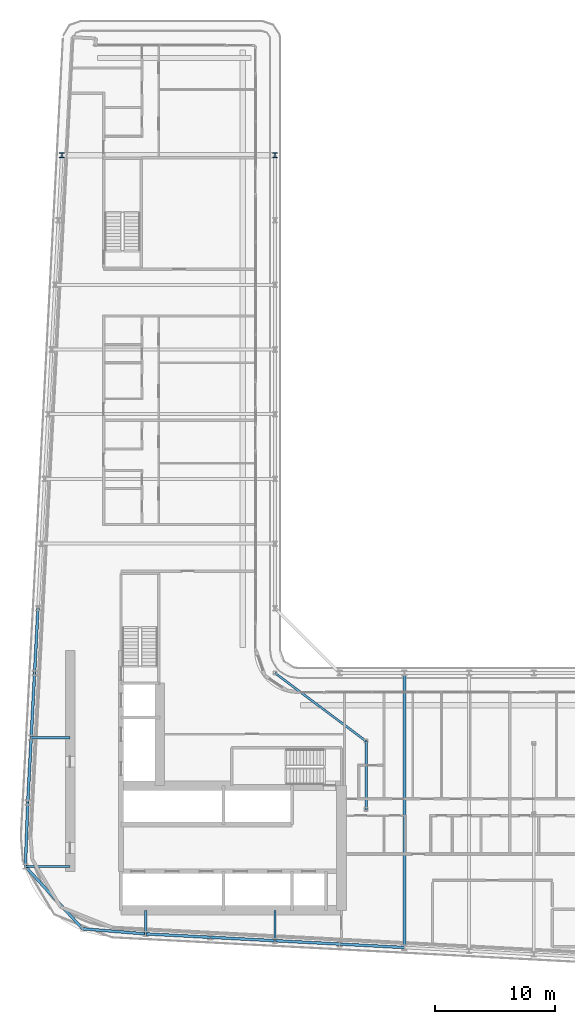
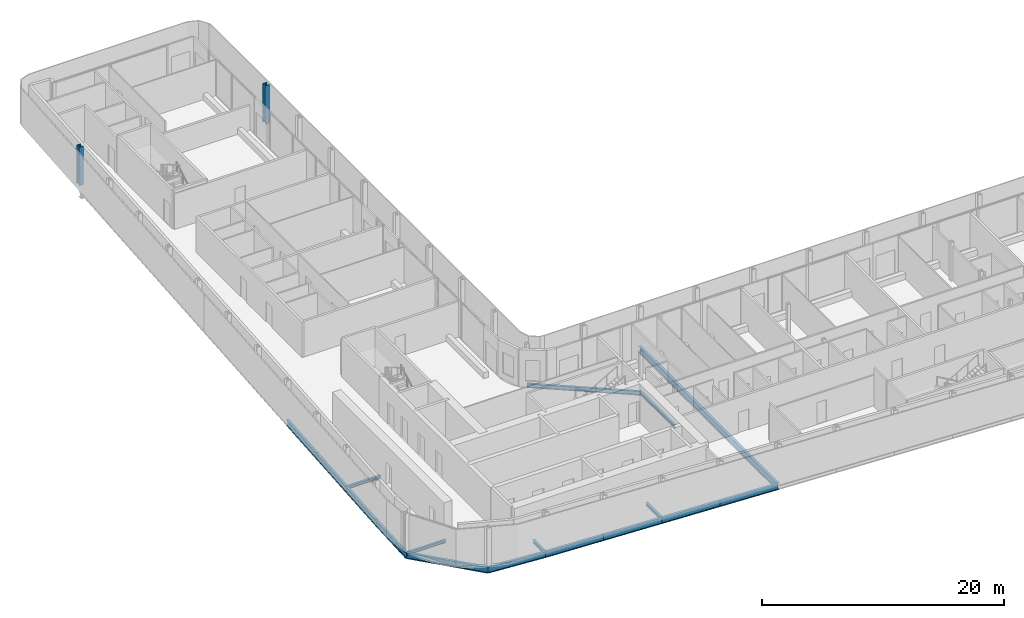
# One storey, part 5 of 30: 17 beams, 2 columns.
"""IFC4 building model written with IfcOpenShell, lengths in metres."""

import ifcopenshell
import ifcopenshell.guid

model = None  # the IFC model being written
_history = None  # IfcOwnerHistory: only IFC2X3 demands one
_inside = {}  # id of a spatial element -> (the spatial element, [elements in it])
_under = {}  # id of a project, library or spatial element -> (it, [spatial elements below it])
_declared = {}  # id of a project -> (the project, [libraries it declares])
_typed = {}  # id of a type object -> (the type object, [elements of that type])
_made_of = {}  # id of a material, layer set ... -> (it, [elements and type objects made of it])


def new_model(schema):
    """Start an empty IFC model of exactly this schema.

    Asked for "IFC4X3", IfcOpenShell would pick the latest addendum, in which some entities
    have other attributes; the version numbers below select the first issue.
    IFC2X3 requires an IfcOwnerHistory on every rooted entity: one is made here for all.
    """
    global model, _history
    if schema == "IFC4X3":
        model = ifcopenshell.file(schema_version=(4, 3, 0, 0))
    else:
        model = ifcopenshell.file(schema=schema)
    _inside.clear()
    _under.clear()
    _declared.clear()
    _typed.clear()
    _made_of.clear()
    _history = None
    if model.schema == "IFC2X3":
        org = make("IfcOrganization", Name="unknown")
        user = make(
            "IfcPersonAndOrganization",
            ThePerson=make("IfcPerson", FamilyName="unknown"),
            TheOrganization=org,
        )
        app = make(
            "IfcApplication",
            ApplicationDeveloper=org,
            Version="unknown",
            ApplicationFullName="unknown",
            ApplicationIdentifier="unknown",
        )
        _history = make(
            "IfcOwnerHistory",
            OwningUser=user,
            OwningApplication=app,
            ChangeAction="ADDED",
            CreationDate=0,
        )
    return model


def make(cls, **values):
    """One entity of the class cls with the attributes given. An attribute that is None is left unset."""
    return model.create_entity(
        cls, **{name: value for name, value in values.items() if value is not None}
    )


def rooted(cls, **values):
    """An entity with a GlobalId (a new one), such as an element, a storey or a relation."""
    return make(cls, GlobalId=ifcopenshell.guid.new(), OwnerHistory=_history, **values)


def si_unit(unit_type, name, prefix=None):
    """IfcSIUnit, for example si_unit("LENGTHUNIT", "METRE", prefix="MILLI")."""
    return make("IfcSIUnit", UnitType=unit_type, Prefix=prefix, Name=name)


def assignment(units):
    """IfcUnitAssignment: the units of a project."""
    return None if units is None else make("IfcUnitAssignment", Units=units)


def point(xyz):
    """IfcCartesianPoint."""
    return None if xyz is None else make("IfcCartesianPoint", Coordinates=xyz)


def direction(xyz):
    """IfcDirection."""
    return None if xyz is None else make("IfcDirection", DirectionRatios=xyz)


def frame(location, z_axis=None, x_axis=None):
    """IfcAxis2Placement3D, a coordinate frame: its origin and axes. An axis left out is left unset."""
    return make(
        "IfcAxis2Placement3D",
        Location=point(location),
        Axis=direction(z_axis),
        RefDirection=direction(x_axis),
    )


def frame_2d(location, x_axis=None):
    """IfcAxis2Placement2D, a coordinate frame in the plane: its origin and x axis."""
    return make(
        "IfcAxis2Placement2D", Location=point(location), RefDirection=direction(x_axis)
    )


def origin():
    """The frame at (0, 0, 0) with its axes left unset."""
    return frame((0.0, 0.0, 0.0))


def origin_2d():
    """The frame at (0, 0) in the plane with its x axis left unset."""
    return frame_2d((0.0, 0.0))


def place(relative_to, where):
    """IfcLocalPlacement: puts the frame where relative to a parent placement (None: the world)."""
    return make(
        "IfcLocalPlacement", PlacementRelTo=relative_to, RelativePlacement=where
    )


def context(
    kind, dimensions, precision=None, world=None, true_north=None, identifier=None
):
    """IfcGeometricRepresentationContext, for example the 3D "Model" context."""
    return make(
        "IfcGeometricRepresentationContext",
        ContextIdentifier=identifier,
        ContextType=kind,
        CoordinateSpaceDimension=dimensions,
        Precision=precision,
        WorldCoordinateSystem=world,
        TrueNorth=true_north,
    )


def subcontext(parent, identifier, kind, view, scale=None):
    """IfcGeometricRepresentationSubContext, for example "Body" below "Model"."""
    return make(
        "IfcGeometricRepresentationSubContext",
        ContextIdentifier=identifier,
        ContextType=kind,
        ParentContext=parent,
        TargetScale=scale,
        TargetView=view,
    )


def project(units=None, contexts=None):
    """IfcProject with its units and contexts."""
    return rooted(
        "IfcProject",
        Name="project",
        RepresentationContexts=contexts,
        UnitsInContext=assignment(units),
    )


def spatial(cls, under=None, at=None, **own):
    """A site, building, storey or space (cls), placed at a placement, below another one or the project."""
    s = rooted(cls, ObjectPlacement=at, **own)
    if under is not None:
        _under.setdefault(under.id(), (under, []))[1].append(s)
    return s


def profile(cls, at=None, kind="AREA", **sizes):
    """A parametric profile (cls). Its sizes go by their IFC names, for example OverallWidth=200.0."""
    return make(cls, ProfileType=kind, Position=at, **sizes)


def i_section(**sizes):
    """IfcIShapeProfileDef."""
    return profile("IfcIShapeProfileDef", **sizes)


def extrude(swept, where, along, depth):
    """IfcExtrudedAreaSolid: the profile swept, set in the frame where, extruded along a direction by depth."""
    return make(
        "IfcExtrudedAreaSolid",
        SweptArea=swept,
        Position=where,
        ExtrudedDirection=direction(along),
        Depth=depth,
    )


def shape(context_of_items, identifier, shape_type, items):
    """IfcShapeRepresentation: the items that make up one representation, for example the "Body"."""
    return make(
        "IfcShapeRepresentation",
        ContextOfItems=context_of_items,
        RepresentationIdentifier=identifier,
        RepresentationType=shape_type,
        Items=items,
    )


def material(Name=None, Category=None):
    """IfcMaterial."""
    return make("IfcMaterial", Name=Name, Category=Category)


def material_profile(
    of_material, cross_section, Name=None, Category=None, Priority=None
):
    """IfcMaterialProfile: a cross section and its material."""
    return make(
        "IfcMaterialProfile",
        Name=Name,
        Material=of_material,
        Profile=cross_section,
        Priority=Priority,
        Category=Category,
    )


def profile_set(profiles, Name=None, composite=None):
    """IfcMaterialProfileSet."""
    return make(
        "IfcMaterialProfileSet",
        Name=Name,
        MaterialProfiles=profiles,
        CompositeProfile=composite,
    )


def made_of(thing, what):
    """Note that an element or type object is made of a material, layer set ...; save() writes the relation."""
    if what is not None:
        _made_of.setdefault(what.id(), (what, []))[1].append(thing)
    return thing


def type_object(cls, material=None, **own):
    """A type object (cls), such as IfcWallType, which elements share."""
    return made_of(rooted(cls, **own), material)


def element(
    cls,
    number,
    at=None,
    inside=None,
    cuts=None,
    type_object=None,
    material=None,
    context=None,
    identifier="Body",
    shape_type=None,
    held_by="IfcProductDefinitionShape",
    body=None,
    shapes=None,
    **own,
):
    """One element of the class cls, such as IfcWall. Its Tag is "e" and its number.

    at: its placement. inside: the storey or other place that contains it. cuts: it is an
    opening in that element (IfcRelVoidsElement). A single representation is given by context,
    identifier, shape_type and body (its items); several are given by shapes. held_by: the class
    of the entity that holds the representations. save() writes the other relations.
    """
    e = rooted(cls, Tag="e%d" % number, ObjectPlacement=at, **own)
    if body is not None:
        shapes = [shape(context, identifier, shape_type, body)]
    if shapes is not None:
        e.Representation = make(held_by, Representations=shapes)
    if inside is not None:
        _inside.setdefault(inside.id(), (inside, []))[1].append(e)
    if cuts is not None:
        rooted(
            "IfcRelVoidsElement", RelatingBuildingElement=cuts, RelatedOpeningElement=e
        )
    if type_object is not None:
        _typed.setdefault(type_object.id(), (type_object, []))[1].append(e)
    return made_of(e, material)


def aggregate(whole, parts):
    """IfcRelAggregates: a whole, such as a stair, and the parts it consists of."""
    return rooted("IfcRelAggregates", RelatingObject=whole, RelatedObjects=parts)


def save(model, path):
    """Write the relations noted so far, then the file.

    IfcRelAggregates (storeys below a building ...), IfcRelContainedInSpatialStructure (elements
    in a storey), IfcRelDefinesByType, IfcRelAssociatesMaterial and IfcRelDeclares: one each for
    every whole, place, type object, material and project.
    """
    for whole, parts in _under.values():
        aggregate(whole, parts)
    for where, things in _inside.values():
        rooted(
            "IfcRelContainedInSpatialStructure",
            RelatedElements=things,
            RelatingStructure=where,
        )
    for kind, things in _typed.values():
        rooted("IfcRelDefinesByType", RelatedObjects=things, RelatingType=kind)
    for what, things in _made_of.values():
        rooted("IfcRelAssociatesMaterial", RelatedObjects=things, RelatingMaterial=what)
    for by, libraries in _declared.values():
        rooted("IfcRelDeclares", RelatingContext=by, RelatedDefinitions=libraries)
    model.write(path)


model = new_model("IFC4")

# Units and contexts
model_context = context("Model", 3, precision=1e-05, world=origin(), true_north=direction((0.0, 1.0)))
body_context = subcontext(model_context, "Body", "Model", "MODEL_VIEW")
ifc_project = project(units=[si_unit("LENGTHUNIT", "METRE"), si_unit("AREAUNIT", "SQUARE_METRE"), si_unit("VOLUMEUNIT", "CUBIC_METRE"), si_unit("PLANEANGLEUNIT", "RADIAN"), si_unit("MASSUNIT", "GRAM", prefix="KILO")], contexts=[model_context])

# Site, building, storey
site_placement = place(None, origin())
site = spatial("IfcSite", under=ifc_project, at=site_placement, CompositionType="ELEMENT")
building_placement = place(site_placement, origin())
building = spatial("IfcBuilding", under=site, at=building_placement, Name="Kheshtan School and Residences Tower", CompositionType="ELEMENT")
storey_placement = place(building_placement, frame((0.0, 0.0, 195.5)))
storey = spatial("IfcBuildingStorey", under=building, at=storey_placement, Name="L46", CompositionType="ELEMENT", Elevation=195.5)

# Columns
ifc_material = material(Name="Steel ASTM A992 Grade 50", Category="steel")
ifc_material_profile_1 = material_profile(ifc_material, i_section(OverallWidth=0.408935546875, OverallDepth=0.425048828125, WebThickness=0.03271484375, FlangeThickness=0.052490234375, FilletRadius=0.0126953125, at=origin_2d()), Name="W360x421")
ifc_profile_set_1 = profile_set([ifc_material_profile_1], Name="Steel ASTM A992 Grade 50")
column_type = type_object("IfcColumnType", Name="Column C3 W360x421 ASTM A992 Grade 50", PredefinedType="COLUMN", material=ifc_profile_set_1)
for number, where, z_axis, x_axis, name in (
    (1, (29.81103515625, 88.800048828125, 0.0), (0.0, 0.0, 1.0), (1.0, 0.0, 0.0), "Column C098"),
    (2, (47.60009765625, 88.800048828125, 0.0), (0.0, 0.0, 1.0), (1.0, 0.0, 0.0), "Column C099"),
):
    element("IfcColumn", number, at=place(storey_placement, frame(where, z_axis=z_axis, x_axis=x_axis)), inside=storey, type_object=column_type, Name=name, PredefinedType="COLUMN", context=body_context, shape_type="SweptSolid", body=[
        extrude(i_section(OverallWidth=0.408935546875, OverallDepth=0.425048828125, WebThickness=0.03271484375, FlangeThickness=0.052490234375, FilletRadius=0.0126953125, at=origin_2d()), origin(), (0.0, 0.0, 1.0), 3.89990234375),
    ])

# Beams
ifc_material_profile_2 = material_profile(ifc_material, i_section(OverallWidth=0.202880859375, OverallDepth=0.302978515625, WebThickness=0.007568359375, FlangeThickness=0.01318359375, FilletRadius=0.009033203125, at=origin_2d()), Name="W310x60")
ifc_profile_set_2 = profile_set([ifc_material_profile_2], Name="Steel ASTM A992 Grade 50")
beam_type_1 = type_object("IfcBeamType", Name="Beam FB1 W310x60 ASTM A992 Grade 50", PredefinedType="BEAM", material=ifc_profile_set_2)
beam_1_placement = place(storey_placement, frame((47.60009765625, 23.263916015625, -0.301513671875), z_axis=(0.0, 1.0, 0.0), x_axis=(-1.0, 0.0, 0.0)))
element("IfcBeam", 3, at=beam_1_placement, inside=storey, type_object=beam_type_1, Name="Floor beam C020", PredefinedType="BEAM", context=body_context, shape_type="SweptSolid", body=[
    extrude(i_section(OverallWidth=0.202880859375, OverallDepth=0.302978515625, WebThickness=0.007568359375, FlangeThickness=0.01318359375, FilletRadius=0.009033203125, at=origin_2d()), origin(), (0.0, 0.0, 1.0), 2.5361328125),
])
beam_2_placement = place(storey_placement, frame((36.800048828125, 23.83203125, -0.301513671875), z_axis=(0.0, 1.0, 0.0), x_axis=(-1.0, 0.0, 0.0)))
element("IfcBeam", 4, at=beam_2_placement, inside=storey, type_object=beam_type_1, Name="Floor beam C022", PredefinedType="BEAM", context=body_context, shape_type="SweptSolid", body=[
    extrude(i_section(OverallWidth=0.202880859375, OverallDepth=0.302978515625, WebThickness=0.007568359375, FlangeThickness=0.01318359375, FilletRadius=0.009033203125, at=origin_2d()), origin(), (0.0, 0.0, 1.0), 1.968017578125),
])
beam_3_placement = place(storey_placement, frame((26.76904296875, 29.4541015625, -0.301513671875), z_axis=(1.0, 0.0, 0.0), x_axis=(0.0, 1.0, 0.0)))
element("IfcBeam", 5, at=beam_3_placement, inside=storey, type_object=beam_type_1, Name="Floor beam C038", PredefinedType="BEAM", context=body_context, shape_type="SweptSolid", body=[
    extrude(i_section(OverallWidth=0.202880859375, OverallDepth=0.302978515625, WebThickness=0.007568359375, FlangeThickness=0.01318359375, FilletRadius=0.009033203125, at=origin_2d()), origin(), (0.0, 0.0, 1.0), 3.73095703125),
])
beam_4_placement = place(storey_placement, frame((27.2529296875, 40.199951171875, -0.301513671875), z_axis=(1.0, 0.0, 0.0), x_axis=(0.0, 1.0, 0.0)))
element("IfcBeam", 6, at=beam_4_placement, inside=storey, type_object=beam_type_1, Name="Floor beam C056", PredefinedType="BEAM", context=body_context, shape_type="SweptSolid", body=[
    extrude(i_section(OverallWidth=0.202880859375, OverallDepth=0.302978515625, WebThickness=0.007568359375, FlangeThickness=0.01318359375, FilletRadius=0.009033203125, at=origin_2d()), origin(), (0.0, 0.0, 1.0), 3.2470703125),
])
beam_5_placement = place(storey_placement, frame((55.199951171875, 34.23193359375, -0.301513671875), z_axis=(0.0, 1.0, 0.0), x_axis=(-1.0, 0.0, 0.0)))
element("IfcBeam", 7, at=beam_5_placement, inside=storey, type_object=beam_type_1, Name="Floor beam IC", PredefinedType="BEAM", context=body_context, shape_type="SweptSolid", body=[
    extrude(i_section(OverallWidth=0.202880859375, OverallDepth=0.302978515625, WebThickness=0.007568359375, FlangeThickness=0.01318359375, FilletRadius=0.009033203125, at=origin_2d()), origin(), (0.0, 0.0, 1.0), 5.68408203125),
])
ifc_material_profile_3 = material_profile(ifc_material, i_section(OverallWidth=0.180908203125, OverallDepth=0.4169921875, WebThickness=0.010986328125, FlangeThickness=0.018310546875, FilletRadius=0.012451171875, at=origin_2d()), Name="W410x85")
ifc_profile_set_3 = profile_set([ifc_material_profile_3], Name="Steel ASTM A992 Grade 50")
beam_type_2 = type_object("IfcBeamType", Name="Beam FB3 W410x85 ASTM A992 Grade 50", PredefinedType="BEAM", material=ifc_profile_set_3)
beam_6_placement = place(storey_placement, frame((47.60009765625, 45.60009765625, -0.3583984375), z_axis=(0.800798828004, -0.598933416222, 0.0), x_axis=(0.598933416222, 0.800798828004, 0.0)))
element("IfcBeam", 8, at=beam_6_placement, inside=storey, type_object=beam_type_2, Name="Floor beam IC", PredefinedType="BEAM", context=body_context, shape_type="SweptSolid", body=[
    extrude(i_section(OverallWidth=0.180908203125, OverallDepth=0.4169921875, WebThickness=0.010986328125, FlangeThickness=0.018310546875, FilletRadius=0.012451171875, at=origin_2d()), origin(), (0.0, 0.0, 1.0), 9.490234375),
])
ifc_material_profile_4 = material_profile(ifc_material, i_section(OverallWidth=0.2529296875, OverallDepth=0.677978515625, WebThickness=0.01171875, FlangeThickness=0.016357421875, FilletRadius=0.0146484375, at=origin_2d()), Name="W690x125")
ifc_profile_set_4 = profile_set([ifc_material_profile_4], Name="Steel ASTM A992 Grade 50")
beam_type_3 = type_object("IfcBeamType", Name="Beam FB6 W690x125 ASTM A992 Grade 50", PredefinedType="BEAM", material=ifc_profile_set_4)
beam_7_placement = place(storey_placement, frame((58.39990234375, 22.695068359375, -0.489013671875), z_axis=(0.0, 1.0, 0.0), x_axis=(-1.0, 0.0, 0.0)))
element("IfcBeam", 9, at=beam_7_placement, inside=storey, type_object=beam_type_3, Name="Floor beam C018", PredefinedType="BEAM", context=body_context, shape_type="SweptSolid", body=[
    extrude(i_section(OverallWidth=0.2529296875, OverallDepth=0.677978515625, WebThickness=0.01171875, FlangeThickness=0.016357421875, FilletRadius=0.0146484375, at=origin_2d()), origin(), (0.0, 0.0, 1.0), 22.905029296875),
])
ifc_material_profile_5 = material_profile(ifc_material, i_section(OverallWidth=0.22802734375, OverallDepth=0.60302734375, WebThickness=0.010498046875, FlangeThickness=0.014892578125, FilletRadius=0.013427734375, at=origin_2d()), Name="W610x101")
ifc_profile_set_5 = profile_set([ifc_material_profile_5], Name="Steel ASTM A992 Grade 50")
beam_type_4 = type_object("IfcBeamType", Name="Beam SP2 W610x101 ASTM A992 Grade 50", PredefinedType="BEAM", material=ifc_profile_set_5)
for number, where, z_axis, x_axis, name in (
    (10, (58.39990234375, 22.695068359375, -0.451416015625), (-0.998610961136, 0.052689166816, 0.0), (-0.052689166816, -0.998610961136, 0.0), "Spandrel beam C018-C019"),
    (11, (53.0, 22.97998046875, -0.451416015625), (-0.998620447272, 0.05250906864, 0.0), (-0.05250906864, -0.998620447272, 0.0), "Spandrel beam C019-C020"),
):
    element("IfcBeam", number, at=place(storey_placement, frame(where, z_axis=z_axis, x_axis=x_axis)), inside=storey, type_object=beam_type_4, Name=name, PredefinedType="BEAM", context=body_context, shape_type="SweptSolid", body=[
        extrude(i_section(OverallWidth=0.22802734375, OverallDepth=0.60302734375, WebThickness=0.010498046875, FlangeThickness=0.014892578125, FilletRadius=0.013427734375, at=origin_2d()), origin(), (0.0, 0.0, 1.0), 5.407470703125),
    ])
beam_8_placement = place(storey_placement, frame((47.60009765625, 23.263916015625, -0.451416015625), z_axis=(-0.998618203458, 0.052551724256, 0.0), x_axis=(-0.052551724256, -0.998618203458, 0.0)))
element("IfcBeam", 12, at=beam_8_placement, inside=storey, type_object=beam_type_4, Name="Spandrel beam C020-C021", PredefinedType="BEAM", context=body_context, shape_type="SweptSolid", body=[
    extrude(i_section(OverallWidth=0.22802734375, OverallDepth=0.60302734375, WebThickness=0.010498046875, FlangeThickness=0.014892578125, FilletRadius=0.013427734375, at=origin_2d()), origin(), (0.0, 0.0, 1.0), 5.40771484375),
])
beam_9_placement = place(storey_placement, frame((42.199951171875, 23.548095703125, -0.451416015625), z_axis=(-0.998620447272, 0.05250906864, 0.0), x_axis=(-0.05250906864, -0.998620447272, 0.0)))
element("IfcBeam", 13, at=beam_9_placement, inside=storey, type_object=beam_type_4, Name="Spandrel beam C021-C022", PredefinedType="BEAM", context=body_context, shape_type="SweptSolid", body=[
    extrude(i_section(OverallWidth=0.22802734375, OverallDepth=0.60302734375, WebThickness=0.010498046875, FlangeThickness=0.014892578125, FilletRadius=0.013427734375, at=origin_2d()), origin(), (0.0, 0.0, 1.0), 5.407470703125),
])
beam_10_placement = place(storey_placement, frame((36.800048828125, 23.83203125, -0.451416015625), z_axis=(-0.996748565693, 0.08057479003, 0.0), x_axis=(-0.08057479003, -0.996748565693, 0.0)))
element("IfcBeam", 14, at=beam_10_placement, inside=storey, type_object=beam_type_4, Name="Spandrel beam C022-C025", PredefinedType="BEAM", context=body_context, shape_type="SweptSolid", body=[
    extrude(i_section(OverallWidth=0.22802734375, OverallDepth=0.60302734375, WebThickness=0.010498046875, FlangeThickness=0.014892578125, FilletRadius=0.013427734375, at=origin_2d()), origin(), (0.0, 0.0, 1.0), 5.275146484375),
])
beam_11_placement = place(storey_placement, frame((31.5419921875, 24.257080078125, -0.451416015625), z_axis=(-0.676418406149, 0.736517576045, 0.0), x_axis=(-0.736517576045, -0.676418406149, 0.0)))
element("IfcBeam", 15, at=beam_11_placement, inside=storey, type_object=beam_type_4, Name="Spandrel beam C025-C038", PredefinedType="BEAM", context=body_context, shape_type="SweptSolid", body=[
    extrude(i_section(OverallWidth=0.22802734375, OverallDepth=0.60302734375, WebThickness=0.010498046875, FlangeThickness=0.014892578125, FilletRadius=0.013427734375, at=origin_2d()), origin(), (0.0, 0.0, 1.0), 7.05615234375),
])
beam_12_placement = place(storey_placement, frame((26.76904296875, 29.4541015625, -0.451416015625), z_axis=(0.037376249491, 0.999301263871, 0.0), x_axis=(-0.999301263871, 0.037376249491, 0.0)))
element("IfcBeam", 16, at=beam_12_placement, inside=storey, type_object=beam_type_4, Name="Spandrel beam C038-C052", PredefinedType="BEAM", context=body_context, shape_type="SweptSolid", body=[
    extrude(i_section(OverallWidth=0.22802734375, OverallDepth=0.60302734375, WebThickness=0.010498046875, FlangeThickness=0.014892578125, FilletRadius=0.013427734375, at=origin_2d()), origin(), (0.0, 0.0, 1.0), 5.349609375),
])
beam_13_placement = place(storey_placement, frame((26.968994140625, 34.800048828125, -0.451416015625), z_axis=(0.05250906864, 0.998620447272, 0.0), x_axis=(-0.998620447272, 0.05250906864, 0.0)))
element("IfcBeam", 17, at=beam_13_placement, inside=storey, type_object=beam_type_4, Name="Spandrel beam C052-C056", PredefinedType="BEAM", context=body_context, shape_type="SweptSolid", body=[
    extrude(i_section(OverallWidth=0.22802734375, OverallDepth=0.60302734375, WebThickness=0.010498046875, FlangeThickness=0.014892578125, FilletRadius=0.013427734375, at=origin_2d()), origin(), (0.0, 0.0, 1.0), 5.407470703125),
])
beam_14_placement = place(storey_placement, frame((27.2529296875, 40.199951171875, -0.451416015625), z_axis=(0.052551724256, 0.998618203458, 0.0), x_axis=(-0.998618203458, 0.052551724256, 0.0)))
element("IfcBeam", 18, at=beam_14_placement, inside=storey, type_object=beam_type_4, Name="Spandrel beam C056-C059", PredefinedType="BEAM", context=body_context, shape_type="SweptSolid", body=[
    extrude(i_section(OverallWidth=0.22802734375, OverallDepth=0.60302734375, WebThickness=0.010498046875, FlangeThickness=0.014892578125, FilletRadius=0.013427734375, at=origin_2d()), origin(), (0.0, 0.0, 1.0), 5.40771484375),
])
beam_15_placement = place(storey_placement, frame((27.537109375, 45.60009765625, -0.451416015625), z_axis=(0.052689166816, 0.998610961136, 0.0), x_axis=(-0.998610961136, 0.052689166816, 0.0)))
element("IfcBeam", 19, at=beam_15_placement, inside=storey, type_object=beam_type_4, Name="Spandrel beam C059-C078", PredefinedType="BEAM", context=body_context, shape_type="SweptSolid", body=[
    extrude(i_section(OverallWidth=0.22802734375, OverallDepth=0.60302734375, WebThickness=0.010498046875, FlangeThickness=0.014892578125, FilletRadius=0.013427734375, at=origin_2d()), origin(), (0.0, 0.0, 1.0), 5.407470703125),
])

save(model, "model.ifc")
